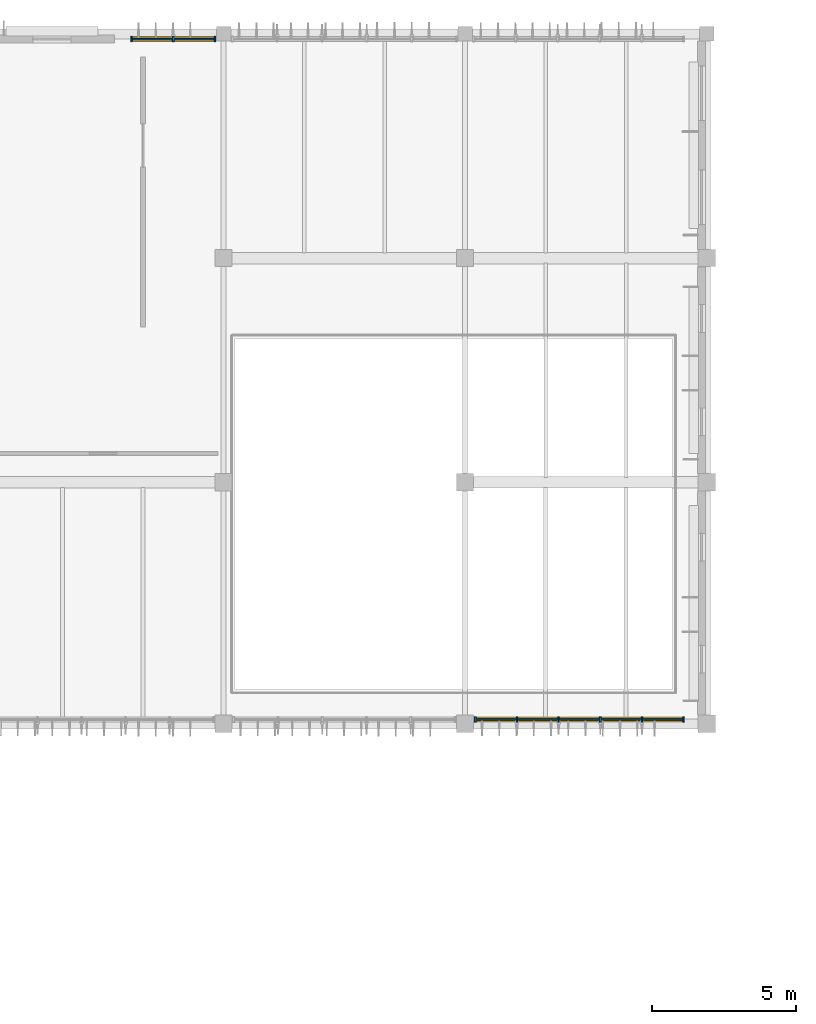
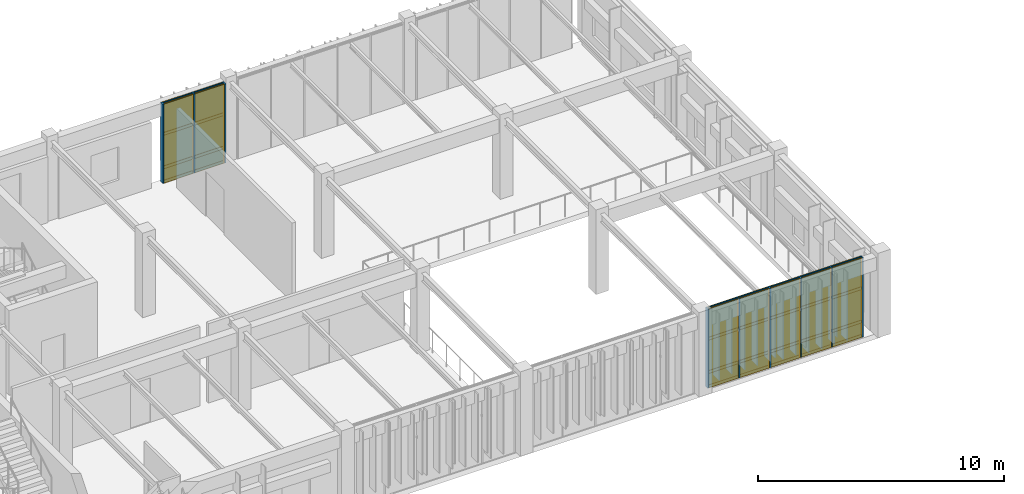
# One storey, part 103 of 122: 37 members, 21 plates, 2 curtain walls.
"""IFC4 building model written with IfcOpenShell, lengths in metres."""

from ifc_helpers import new_model, si_unit, direction, frame, frame_2d, origin, origin_2d, place, context, subcontext, project, spatial, rectangle, extrude, material, layer, layer_set, material_profile, profile_set, type_object, element, aggregate, save


model = new_model("IFC4")

# Units and contexts
model_context = context("Model", 3, precision=1e-05, world=origin(), true_north=direction((0.0, 1.0)))
body_context = subcontext(model_context, "Body", "Model", "MODEL_VIEW")
ifc_project = project(units=[si_unit("LENGTHUNIT", "METRE"), si_unit("AREAUNIT", "SQUARE_METRE"), si_unit("VOLUMEUNIT", "CUBIC_METRE"), si_unit("PLANEANGLEUNIT", "RADIAN"), si_unit("MASSUNIT", "GRAM", prefix="KILO")], contexts=[model_context])

# Member
ifc_material_1 = material(Name="Anodised Bronze Aluminium 6063-T6", Category="aluminium")
ifc_material_profile_1 = material_profile(ifc_material_1, rectangle(XDim=0.06005859375, YDim=0.179931640625, at=origin_2d()), Name="ALU MULLION 60x180")
ifc_profile_set_1 = profile_set([ifc_material_profile_1], Name="Anodised Bronze Aluminium 6063-T6")
member_type_1 = type_object("IfcMemberType", Name="Curtain-Wall Primary Mullion 60x180", PredefinedType="MULLION", material=ifc_profile_set_1)
site_placement = place(None, origin())
building_placement = place(site_placement, origin())
storey_placement = place(building_placement, frame((0.0, 0.0, 4.800048828125)))
member_1_placement = place(storey_placement, frame((130.60009765625, 111.6201171875, 0.0), z_axis=(0.0, 0.0, 1.0), x_axis=(1.0, 0.0, 0.0)))
member_1 = element("IfcMember", 1, at=member_1_placement, type_object=member_type_1, Name="Mullion CWM-01 CW-V3-N3-L01-B1-M01", PredefinedType="MULLION", context=body_context, shape_type="SweptSolid", body=[
    extrude(rectangle(XDim=0.06005859375, YDim=0.179931640625, at=origin_2d()), origin(), (0.0, 0.0, 1.0), 3.93994140625),
])

member_2_placement = place(storey_placement, frame((132.050048828125, 111.6201171875, 0.0), z_axis=(0.0, 0.0, 1.0), x_axis=(1.0, 0.0, 0.0)))
member_2 = element("IfcMember", 2, at=member_2_placement, type_object=member_type_1, Name="Mullion CWM-01 CW-V3-N3-L01-B1-M02", PredefinedType="MULLION", context=body_context, shape_type="SweptSolid", body=[
    extrude(rectangle(XDim=0.06005859375, YDim=0.179931640625, at=origin_2d()), origin(), (0.0, 0.0, 1.0), 3.93994140625),
])

member_3_placement = place(storey_placement, frame((133.5, 111.6201171875, 0.0), z_axis=(0.0, 0.0, 1.0), x_axis=(1.0, 0.0, 0.0)))
member_3 = element("IfcMember", 3, at=member_3_placement, type_object=member_type_1, Name="Mullion CWM-01 CW-V3-N3-L01-B1-M03", PredefinedType="MULLION", context=body_context, shape_type="SweptSolid", body=[
    extrude(rectangle(XDim=0.06005859375, YDim=0.179931640625, at=origin_2d()), origin(), (0.0, 0.0, 1.0), 3.93994140625),
])

member_4_placement = place(storey_placement, frame((142.550048828125, 87.949951171875, 0.0), z_axis=(0.0, 0.0, 1.0), x_axis=(1.0, 0.0, 0.0)))
member_4 = element("IfcMember", 4, at=member_4_placement, type_object=member_type_1, Name="Mullion CWM-01 CW-V3-S2-L01-B3-M01", PredefinedType="MULLION", context=body_context, shape_type="SweptSolid", body=[
    extrude(rectangle(XDim=0.06005859375, YDim=0.179931640625, at=origin_2d()), origin(), (0.0, 0.0, 1.0), 3.93994140625),
])

member_5_placement = place(storey_placement, frame((144.0, 87.949951171875, 0.0), z_axis=(0.0, 0.0, 1.0), x_axis=(1.0, 0.0, 0.0)))
member_5 = element("IfcMember", 5, at=member_5_placement, type_object=member_type_1, Name="Mullion CWM-01 CW-V3-S2-L01-B3-M02", PredefinedType="MULLION", context=body_context, shape_type="SweptSolid", body=[
    extrude(rectangle(XDim=0.06005859375, YDim=0.179931640625, at=origin_2d()), origin(), (0.0, 0.0, 1.0), 3.93994140625),
])

member_6_placement = place(storey_placement, frame((145.449951171875, 87.949951171875, 0.0), z_axis=(0.0, 0.0, 1.0), x_axis=(1.0, 0.0, 0.0)))
member_6 = element("IfcMember", 6, at=member_6_placement, type_object=member_type_1, Name="Mullion CWM-01 CW-V3-S2-L01-B3-M03", PredefinedType="MULLION", context=body_context, shape_type="SweptSolid", body=[
    extrude(rectangle(XDim=0.06005859375, YDim=0.179931640625, at=origin_2d()), origin(), (0.0, 0.0, 1.0), 3.93994140625),
])

member_7_placement = place(storey_placement, frame((146.89990234375, 87.949951171875, 0.0), z_axis=(0.0, 0.0, 1.0), x_axis=(1.0, 0.0, 0.0)))
member_7 = element("IfcMember", 7, at=member_7_placement, type_object=member_type_1, Name="Mullion CWM-01 CW-V3-S2-L01-B3-M04", PredefinedType="MULLION", context=body_context, shape_type="SweptSolid", body=[
    extrude(rectangle(XDim=0.06005859375, YDim=0.179931640625, at=origin_2d()), origin(), (0.0, 0.0, 1.0), 3.93994140625),
])

member_8_placement = place(storey_placement, frame((148.35009765625, 87.949951171875, 0.0), z_axis=(0.0, 0.0, 1.0), x_axis=(1.0, 0.0, 0.0)))
member_8 = element("IfcMember", 8, at=member_8_placement, type_object=member_type_1, Name="Mullion CWM-01 CW-V3-S2-L01-B3-M05", PredefinedType="MULLION", context=body_context, shape_type="SweptSolid", body=[
    extrude(rectangle(XDim=0.06005859375, YDim=0.179931640625, at=origin_2d()), origin(), (0.0, 0.0, 1.0), 3.93994140625),
])

member_9_placement = place(storey_placement, frame((149.800048828125, 87.949951171875, 0.0), z_axis=(0.0, 0.0, 1.0), x_axis=(1.0, 0.0, 0.0)))
member_9 = element("IfcMember", 9, at=member_9_placement, type_object=member_type_1, Name="Mullion CWM-01 CW-V3-S2-L01-B3-M06", PredefinedType="MULLION", context=body_context, shape_type="SweptSolid", body=[
    extrude(rectangle(XDim=0.06005859375, YDim=0.179931640625, at=origin_2d()), origin(), (0.0, 0.0, 1.0), 3.93994140625),
])

ifc_material_profile_2 = material_profile(ifc_material_1, rectangle(XDim=0.06005859375, YDim=0.139892578125, at=origin_2d()), Name="ALU TRANSOM 60x140")
ifc_profile_set_2 = profile_set([ifc_material_profile_2], Name="Anodised Bronze Aluminium 6063-T6")
member_type_2 = type_object("IfcMemberType", Name="Curtain-Wall Transom 60x140", PredefinedType="USERDEFINED", material=ifc_profile_set_2)
member_10_placement = place(storey_placement, frame((130.635009765625, 111.6201171875, 0.0400390625), z_axis=(1.0, 0.0, 0.0), x_axis=(0.0, 1.0, 0.0)))
member_10 = element("IfcMember", 10, at=member_10_placement, type_object=member_type_2, Name="Transom CWT-01 CW-V3-N3-L01-B1-T01.1", ObjectType="TRANSOM", PredefinedType="USERDEFINED", context=body_context, shape_type="SweptSolid", body=[
    extrude(rectangle(XDim=0.06005859375, YDim=0.139892578125, at=origin_2d()), origin(), (0.0, 0.0, 1.0), 1.3798828125),
])

member_11_placement = place(storey_placement, frame((130.635009765625, 111.6201171875, 0.75), z_axis=(1.0, 0.0, 0.0), x_axis=(0.0, 1.0, 0.0)))
member_11 = element("IfcMember", 11, at=member_11_placement, type_object=member_type_2, Name="Transom CWT-01 CW-V3-N3-L01-B1-T01.2", ObjectType="TRANSOM", PredefinedType="USERDEFINED", context=body_context, shape_type="SweptSolid", body=[
    extrude(rectangle(XDim=0.06005859375, YDim=0.139892578125, at=origin_2d()), origin(), (0.0, 0.0, 1.0), 1.3798828125),
])

member_12_placement = place(storey_placement, frame((130.635009765625, 111.6201171875, 2.40869140625), z_axis=(1.0, 0.0, 0.0), x_axis=(0.0, 1.0, 0.0)))
member_12 = element("IfcMember", 12, at=member_12_placement, type_object=member_type_2, Name="Transom CWT-01 CW-V3-N3-L01-B1-T01.3", ObjectType="TRANSOM", PredefinedType="USERDEFINED", context=body_context, shape_type="SweptSolid", body=[
    extrude(rectangle(XDim=0.06005859375, YDim=0.139892578125, at=origin_2d()), origin(), (0.0, 0.0, 1.0), 1.3798828125),
])

member_13_placement = place(storey_placement, frame((130.635009765625, 111.6201171875, 3.89990234375), z_axis=(1.0, 0.0, 0.0), x_axis=(0.0, 1.0, 0.0)))
member_13 = element("IfcMember", 13, at=member_13_placement, type_object=member_type_2, Name="Transom CWT-01 CW-V3-N3-L01-B1-T01.4", ObjectType="TRANSOM", PredefinedType="USERDEFINED", context=body_context, shape_type="SweptSolid", body=[
    extrude(rectangle(XDim=0.06005859375, YDim=0.139892578125, at=origin_2d()), origin(), (0.0, 0.0, 1.0), 1.3798828125),
])

member_14_placement = place(storey_placement, frame((132.0849609375, 111.6201171875, 0.0400390625), z_axis=(1.0, 0.0, 0.0), x_axis=(0.0, 1.0, 0.0)))
member_14 = element("IfcMember", 14, at=member_14_placement, type_object=member_type_2, Name="Transom CWT-01 CW-V3-N3-L01-B1-T02.1", ObjectType="TRANSOM", PredefinedType="USERDEFINED", context=body_context, shape_type="SweptSolid", body=[
    extrude(rectangle(XDim=0.06005859375, YDim=0.139892578125, at=origin_2d()), origin(), (0.0, 0.0, 1.0), 1.380126953125),
])

member_15_placement = place(storey_placement, frame((132.0849609375, 111.6201171875, 0.75), z_axis=(1.0, 0.0, 0.0), x_axis=(0.0, 1.0, 0.0)))
member_15 = element("IfcMember", 15, at=member_15_placement, type_object=member_type_2, Name="Transom CWT-01 CW-V3-N3-L01-B1-T02.2", ObjectType="TRANSOM", PredefinedType="USERDEFINED", context=body_context, shape_type="SweptSolid", body=[
    extrude(rectangle(XDim=0.06005859375, YDim=0.139892578125, at=origin_2d()), origin(), (0.0, 0.0, 1.0), 1.380126953125),
])

member_16_placement = place(storey_placement, frame((132.0849609375, 111.6201171875, 2.40869140625), z_axis=(1.0, 0.0, 0.0), x_axis=(0.0, 1.0, 0.0)))
member_16 = element("IfcMember", 16, at=member_16_placement, type_object=member_type_2, Name="Transom CWT-01 CW-V3-N3-L01-B1-T02.3", ObjectType="TRANSOM", PredefinedType="USERDEFINED", context=body_context, shape_type="SweptSolid", body=[
    extrude(rectangle(XDim=0.06005859375, YDim=0.139892578125, at=origin_2d()), origin(), (0.0, 0.0, 1.0), 1.380126953125),
])

member_17_placement = place(storey_placement, frame((132.0849609375, 111.6201171875, 3.89990234375), z_axis=(1.0, 0.0, 0.0), x_axis=(0.0, 1.0, 0.0)))
member_17 = element("IfcMember", 17, at=member_17_placement, type_object=member_type_2, Name="Transom CWT-01 CW-V3-N3-L01-B1-T02.4", ObjectType="TRANSOM", PredefinedType="USERDEFINED", context=body_context, shape_type="SweptSolid", body=[
    extrude(rectangle(XDim=0.06005859375, YDim=0.139892578125, at=origin_2d()), origin(), (0.0, 0.0, 1.0), 1.380126953125),
])

member_18_placement = place(storey_placement, frame((142.5849609375, 87.949951171875, 0.0400390625), z_axis=(1.0, 0.0, 0.0), x_axis=(0.0, 1.0, 0.0)))
member_18 = element("IfcMember", 18, at=member_18_placement, type_object=member_type_2, Name="Transom CWT-01 CW-V3-S2-L01-B3-T01.1", ObjectType="TRANSOM", PredefinedType="USERDEFINED", context=body_context, shape_type="SweptSolid", body=[
    extrude(rectangle(XDim=0.06005859375, YDim=0.139892578125, at=origin_2d()), origin(), (0.0, 0.0, 1.0), 1.380126953125),
])

member_19_placement = place(storey_placement, frame((142.5849609375, 87.949951171875, 0.75), z_axis=(1.0, 0.0, 0.0), x_axis=(0.0, 1.0, 0.0)))
member_19 = element("IfcMember", 19, at=member_19_placement, type_object=member_type_2, Name="Transom CWT-01 CW-V3-S2-L01-B3-T01.2", ObjectType="TRANSOM", PredefinedType="USERDEFINED", context=body_context, shape_type="SweptSolid", body=[
    extrude(rectangle(XDim=0.06005859375, YDim=0.139892578125, at=origin_2d()), origin(), (0.0, 0.0, 1.0), 1.380126953125),
])

member_20_placement = place(storey_placement, frame((142.5849609375, 87.949951171875, 2.40869140625), z_axis=(1.0, 0.0, 0.0), x_axis=(0.0, 1.0, 0.0)))
member_20 = element("IfcMember", 20, at=member_20_placement, type_object=member_type_2, Name="Transom CWT-01 CW-V3-S2-L01-B3-T01.3", ObjectType="TRANSOM", PredefinedType="USERDEFINED", context=body_context, shape_type="SweptSolid", body=[
    extrude(rectangle(XDim=0.06005859375, YDim=0.139892578125, at=origin_2d()), origin(), (0.0, 0.0, 1.0), 1.380126953125),
])

member_21_placement = place(storey_placement, frame((142.5849609375, 87.949951171875, 3.89990234375), z_axis=(1.0, 0.0, 0.0), x_axis=(0.0, 1.0, 0.0)))
member_21 = element("IfcMember", 21, at=member_21_placement, type_object=member_type_2, Name="Transom CWT-01 CW-V3-S2-L01-B3-T01.4", ObjectType="TRANSOM", PredefinedType="USERDEFINED", context=body_context, shape_type="SweptSolid", body=[
    extrude(rectangle(XDim=0.06005859375, YDim=0.139892578125, at=origin_2d()), origin(), (0.0, 0.0, 1.0), 1.380126953125),
])

member_22_placement = place(storey_placement, frame((144.034912109375, 87.949951171875, 0.0400390625), z_axis=(1.0, 0.0, 0.0), x_axis=(0.0, 1.0, 0.0)))
member_22 = element("IfcMember", 22, at=member_22_placement, type_object=member_type_2, Name="Transom CWT-01 CW-V3-S2-L01-B3-T02.1", ObjectType="TRANSOM", PredefinedType="USERDEFINED", context=body_context, shape_type="SweptSolid", body=[
    extrude(rectangle(XDim=0.06005859375, YDim=0.139892578125, at=origin_2d()), origin(), (0.0, 0.0, 1.0), 1.380126953125),
])

member_23_placement = place(storey_placement, frame((144.034912109375, 87.949951171875, 0.75), z_axis=(1.0, 0.0, 0.0), x_axis=(0.0, 1.0, 0.0)))
member_23 = element("IfcMember", 23, at=member_23_placement, type_object=member_type_2, Name="Transom CWT-01 CW-V3-S2-L01-B3-T02.2", ObjectType="TRANSOM", PredefinedType="USERDEFINED", context=body_context, shape_type="SweptSolid", body=[
    extrude(rectangle(XDim=0.06005859375, YDim=0.139892578125, at=origin_2d()), origin(), (0.0, 0.0, 1.0), 1.380126953125),
])

member_24_placement = place(storey_placement, frame((144.034912109375, 87.949951171875, 2.40869140625), z_axis=(1.0, 0.0, 0.0), x_axis=(0.0, 1.0, 0.0)))
member_24 = element("IfcMember", 24, at=member_24_placement, type_object=member_type_2, Name="Transom CWT-01 CW-V3-S2-L01-B3-T02.3", ObjectType="TRANSOM", PredefinedType="USERDEFINED", context=body_context, shape_type="SweptSolid", body=[
    extrude(rectangle(XDim=0.06005859375, YDim=0.139892578125, at=origin_2d()), origin(), (0.0, 0.0, 1.0), 1.380126953125),
])

member_25_placement = place(storey_placement, frame((144.034912109375, 87.949951171875, 3.89990234375), z_axis=(1.0, 0.0, 0.0), x_axis=(0.0, 1.0, 0.0)))
member_25 = element("IfcMember", 25, at=member_25_placement, type_object=member_type_2, Name="Transom CWT-01 CW-V3-S2-L01-B3-T02.4", ObjectType="TRANSOM", PredefinedType="USERDEFINED", context=body_context, shape_type="SweptSolid", body=[
    extrude(rectangle(XDim=0.06005859375, YDim=0.139892578125, at=origin_2d()), origin(), (0.0, 0.0, 1.0), 1.380126953125),
])

member_26_placement = place(storey_placement, frame((145.485107421875, 87.949951171875, 0.0400390625), z_axis=(1.0, 0.0, 0.0), x_axis=(0.0, 1.0, 0.0)))
member_26 = element("IfcMember", 26, at=member_26_placement, type_object=member_type_2, Name="Transom CWT-01 CW-V3-S2-L01-B3-T03.1", ObjectType="TRANSOM", PredefinedType="USERDEFINED", context=body_context, shape_type="SweptSolid", body=[
    extrude(rectangle(XDim=0.06005859375, YDim=0.139892578125, at=origin_2d()), origin(), (0.0, 0.0, 1.0), 1.3798828125),
])

member_27_placement = place(storey_placement, frame((145.485107421875, 87.949951171875, 0.75), z_axis=(1.0, 0.0, 0.0), x_axis=(0.0, 1.0, 0.0)))
member_27 = element("IfcMember", 27, at=member_27_placement, type_object=member_type_2, Name="Transom CWT-01 CW-V3-S2-L01-B3-T03.2", ObjectType="TRANSOM", PredefinedType="USERDEFINED", context=body_context, shape_type="SweptSolid", body=[
    extrude(rectangle(XDim=0.06005859375, YDim=0.139892578125, at=origin_2d()), origin(), (0.0, 0.0, 1.0), 1.3798828125),
])

member_28_placement = place(storey_placement, frame((145.485107421875, 87.949951171875, 2.40869140625), z_axis=(1.0, 0.0, 0.0), x_axis=(0.0, 1.0, 0.0)))
member_28 = element("IfcMember", 28, at=member_28_placement, type_object=member_type_2, Name="Transom CWT-01 CW-V3-S2-L01-B3-T03.3", ObjectType="TRANSOM", PredefinedType="USERDEFINED", context=body_context, shape_type="SweptSolid", body=[
    extrude(rectangle(XDim=0.06005859375, YDim=0.139892578125, at=origin_2d()), origin(), (0.0, 0.0, 1.0), 1.3798828125),
])

member_29_placement = place(storey_placement, frame((145.485107421875, 87.949951171875, 3.89990234375), z_axis=(1.0, 0.0, 0.0), x_axis=(0.0, 1.0, 0.0)))
member_29 = element("IfcMember", 29, at=member_29_placement, type_object=member_type_2, Name="Transom CWT-01 CW-V3-S2-L01-B3-T03.4", ObjectType="TRANSOM", PredefinedType="USERDEFINED", context=body_context, shape_type="SweptSolid", body=[
    extrude(rectangle(XDim=0.06005859375, YDim=0.139892578125, at=origin_2d()), origin(), (0.0, 0.0, 1.0), 1.3798828125),
])

member_30_placement = place(storey_placement, frame((146.93505859375, 87.949951171875, 0.0400390625), z_axis=(1.0, 0.0, 0.0), x_axis=(0.0, 1.0, 0.0)))
member_30 = element("IfcMember", 30, at=member_30_placement, type_object=member_type_2, Name="Transom CWT-01 CW-V3-S2-L01-B3-T04.1", ObjectType="TRANSOM", PredefinedType="USERDEFINED", context=body_context, shape_type="SweptSolid", body=[
    extrude(rectangle(XDim=0.06005859375, YDim=0.139892578125, at=origin_2d()), origin(), (0.0, 0.0, 1.0), 1.3798828125),
])

member_31_placement = place(storey_placement, frame((146.93505859375, 87.949951171875, 0.75), z_axis=(1.0, 0.0, 0.0), x_axis=(0.0, 1.0, 0.0)))
member_31 = element("IfcMember", 31, at=member_31_placement, type_object=member_type_2, Name="Transom CWT-01 CW-V3-S2-L01-B3-T04.2", ObjectType="TRANSOM", PredefinedType="USERDEFINED", context=body_context, shape_type="SweptSolid", body=[
    extrude(rectangle(XDim=0.06005859375, YDim=0.139892578125, at=origin_2d()), origin(), (0.0, 0.0, 1.0), 1.3798828125),
])

member_32_placement = place(storey_placement, frame((146.93505859375, 87.949951171875, 2.40869140625), z_axis=(1.0, 0.0, 0.0), x_axis=(0.0, 1.0, 0.0)))
member_32 = element("IfcMember", 32, at=member_32_placement, type_object=member_type_2, Name="Transom CWT-01 CW-V3-S2-L01-B3-T04.3", ObjectType="TRANSOM", PredefinedType="USERDEFINED", context=body_context, shape_type="SweptSolid", body=[
    extrude(rectangle(XDim=0.06005859375, YDim=0.139892578125, at=origin_2d()), origin(), (0.0, 0.0, 1.0), 1.3798828125),
])

member_33_placement = place(storey_placement, frame((146.93505859375, 87.949951171875, 3.89990234375), z_axis=(1.0, 0.0, 0.0), x_axis=(0.0, 1.0, 0.0)))
member_33 = element("IfcMember", 33, at=member_33_placement, type_object=member_type_2, Name="Transom CWT-01 CW-V3-S2-L01-B3-T04.4", ObjectType="TRANSOM", PredefinedType="USERDEFINED", context=body_context, shape_type="SweptSolid", body=[
    extrude(rectangle(XDim=0.06005859375, YDim=0.139892578125, at=origin_2d()), origin(), (0.0, 0.0, 1.0), 1.3798828125),
])

member_34_placement = place(storey_placement, frame((148.385009765625, 87.949951171875, 0.0400390625), z_axis=(1.0, 0.0, 0.0), x_axis=(0.0, 1.0, 0.0)))
member_34 = element("IfcMember", 34, at=member_34_placement, type_object=member_type_2, Name="Transom CWT-01 CW-V3-S2-L01-B3-T05.1", ObjectType="TRANSOM", PredefinedType="USERDEFINED", context=body_context, shape_type="SweptSolid", body=[
    extrude(rectangle(XDim=0.06005859375, YDim=0.139892578125, at=origin_2d()), origin(), (0.0, 0.0, 1.0), 1.3798828125),
])

member_35_placement = place(storey_placement, frame((148.385009765625, 87.949951171875, 0.75), z_axis=(1.0, 0.0, 0.0), x_axis=(0.0, 1.0, 0.0)))
member_35 = element("IfcMember", 35, at=member_35_placement, type_object=member_type_2, Name="Transom CWT-01 CW-V3-S2-L01-B3-T05.2", ObjectType="TRANSOM", PredefinedType="USERDEFINED", context=body_context, shape_type="SweptSolid", body=[
    extrude(rectangle(XDim=0.06005859375, YDim=0.139892578125, at=origin_2d()), origin(), (0.0, 0.0, 1.0), 1.3798828125),
])

member_36_placement = place(storey_placement, frame((148.385009765625, 87.949951171875, 2.40869140625), z_axis=(1.0, 0.0, 0.0), x_axis=(0.0, 1.0, 0.0)))
member_36 = element("IfcMember", 36, at=member_36_placement, type_object=member_type_2, Name="Transom CWT-01 CW-V3-S2-L01-B3-T05.3", ObjectType="TRANSOM", PredefinedType="USERDEFINED", context=body_context, shape_type="SweptSolid", body=[
    extrude(rectangle(XDim=0.06005859375, YDim=0.139892578125, at=origin_2d()), origin(), (0.0, 0.0, 1.0), 1.3798828125),
])

member_37_placement = place(storey_placement, frame((148.385009765625, 87.949951171875, 3.89990234375), z_axis=(1.0, 0.0, 0.0), x_axis=(0.0, 1.0, 0.0)))
member_37 = element("IfcMember", 37, at=member_37_placement, type_object=member_type_2, Name="Transom CWT-01 CW-V3-S2-L01-B3-T05.4", ObjectType="TRANSOM", PredefinedType="USERDEFINED", context=body_context, shape_type="SweptSolid", body=[
    extrude(rectangle(XDim=0.06005859375, YDim=0.139892578125, at=origin_2d()), origin(), (0.0, 0.0, 1.0), 1.3798828125),
])

# Plate
ifc_material_2 = material(Name="Insulated Bronze Aluminium Spandrel Panel", Category="aluminium")
ifc_layer_1 = layer(ifc_material_2, 0.050048828125, Name="Insulated Bronze Aluminium Spandrel Panel")
ifc_layer_set_1 = layer_set([ifc_layer_1], Name="Insulated Bronze Aluminium Spandrel Panel")
plate_type_1 = type_object("IfcPlateType", Name="Insulated Anodised Aluminium Spandrel Cassette 50", PredefinedType="CURTAIN_PANEL", material=ifc_layer_set_1)
plate_1_placement = place(storey_placement, frame((131.324951171875, 111.6201171875, 0.070068359375), z_axis=(0.0, 0.0, 1.0), x_axis=(1.0, 0.0, 0.0)))
plate_1 = element("IfcPlate", 38, at=plate_1_placement, type_object=plate_type_1, Name="Curtain Panel CWP-03 CW-V3-N3-L01-B1-P01.1", PredefinedType="CURTAIN_PANEL", context=body_context, shape_type="SweptSolid", body=[
    extrude(rectangle(XDim=1.3798828125, YDim=0.050048828125, at=origin_2d()), origin(), (0.0, 0.0, 1.0), 0.64990234375),
])

plate_2_placement = place(storey_placement, frame((132.77490234375, 111.6201171875, 0.070068359375), z_axis=(0.0, 0.0, 1.0), x_axis=(1.0, 0.0, 0.0)))
plate_2 = element("IfcPlate", 39, at=plate_2_placement, type_object=plate_type_1, Name="Curtain Panel CWP-03 CW-V3-N3-L01-B1-P02.1", PredefinedType="CURTAIN_PANEL", context=body_context, shape_type="SweptSolid", body=[
    extrude(rectangle(XDim=1.3798828125, YDim=0.050048828125, at=origin_2d()), origin(), (0.0, 0.0, 1.0), 0.64990234375),
])

plate_3_placement = place(storey_placement, frame((143.27490234375, 87.949951171875, 0.070068359375), z_axis=(0.0, 0.0, 1.0), x_axis=(1.0, 0.0, 0.0)))
plate_3 = element("IfcPlate", 40, at=plate_3_placement, type_object=plate_type_1, Name="Curtain Panel CWP-03 CW-V3-S2-L01-B3-P01.1", PredefinedType="CURTAIN_PANEL", context=body_context, shape_type="SweptSolid", body=[
    extrude(rectangle(XDim=1.3798828125, YDim=0.050048828125, at=origin_2d()), origin(), (0.0, 0.0, 1.0), 0.64990234375),
])

plate_4_placement = place(storey_placement, frame((144.72509765625, 87.949951171875, 0.070068359375), z_axis=(0.0, 0.0, 1.0), x_axis=(1.0, 0.0, 0.0)))
plate_4 = element("IfcPlate", 41, at=plate_4_placement, type_object=plate_type_1, Name="Curtain Panel CWP-03 CW-V3-S2-L01-B3-P02.1", PredefinedType="CURTAIN_PANEL", context=body_context, shape_type="SweptSolid", body=[
    extrude(rectangle(XDim=1.3798828125, YDim=0.050048828125, at=origin_2d()), origin(), (0.0, 0.0, 1.0), 0.64990234375),
])

plate_5_placement = place(storey_placement, frame((146.175048828125, 87.949951171875, 0.070068359375), z_axis=(0.0, 0.0, 1.0), x_axis=(1.0, 0.0, 0.0)))
plate_5 = element("IfcPlate", 42, at=plate_5_placement, type_object=plate_type_1, Name="Curtain Panel CWP-03 CW-V3-S2-L01-B3-P03.1", PredefinedType="CURTAIN_PANEL", context=body_context, shape_type="SweptSolid", body=[
    extrude(rectangle(XDim=1.3798828125, YDim=0.050048828125, at=origin_2d()), origin(), (0.0, 0.0, 1.0), 0.64990234375),
])

plate_6_placement = place(storey_placement, frame((147.625, 87.949951171875, 0.070068359375), z_axis=(0.0, 0.0, 1.0), x_axis=(1.0, 0.0, 0.0)))
plate_6 = element("IfcPlate", 43, at=plate_6_placement, type_object=plate_type_1, Name="Curtain Panel CWP-03 CW-V3-S2-L01-B3-P04.1", PredefinedType="CURTAIN_PANEL", context=body_context, shape_type="SweptSolid", body=[
    extrude(rectangle(XDim=1.3798828125, YDim=0.050048828125, at=origin_2d()), origin(), (0.0, 0.0, 1.0), 0.64990234375),
])

plate_7_placement = place(storey_placement, frame((149.074951171875, 87.949951171875, 0.070068359375), z_axis=(0.0, 0.0, 1.0), x_axis=(1.0, 0.0, 0.0)))
plate_7 = element("IfcPlate", 44, at=plate_7_placement, type_object=plate_type_1, Name="Curtain Panel CWP-03 CW-V3-S2-L01-B3-P05.1", PredefinedType="CURTAIN_PANEL", context=body_context, shape_type="SweptSolid", body=[
    extrude(rectangle(XDim=1.3798828125, YDim=0.050048828125, at=origin_2d()), origin(), (0.0, 0.0, 1.0), 0.64990234375),
])

ifc_material_3 = material(Name="Solar-Control Tempered Double Glazing", Category="glass")
ifc_layer_2 = layer(ifc_material_3, 0.0380859375, Name="Solar-Control Tempered Double Glazing")
ifc_layer_set_2 = layer_set([ifc_layer_2], Name="Solar-Control Tempered Double Glazing")
plate_type_2 = type_object("IfcPlateType", Name="Solar-Control Vision Glazing Unit 38", PredefinedType="CURTAIN_PANEL", material=ifc_layer_set_2)
plate_8_placement = place(storey_placement, frame((131.324951171875, 111.6201171875, 0.77978515625), z_axis=(0.0, 0.0, 1.0), x_axis=(1.0, 0.0, 0.0)))
plate_8 = element("IfcPlate", 45, at=plate_8_placement, type_object=plate_type_2, Name="Curtain Panel CWP-02 CW-V3-N3-L01-B1-P01.2", PredefinedType="CURTAIN_PANEL", context=body_context, shape_type="SweptSolid", body=[
    extrude(rectangle(XDim=1.3798828125, YDim=0.0380859375, at=origin_2d()), origin(), (0.0, 0.0, 1.0), 1.598876953125),
])

plate_9_placement = place(storey_placement, frame((131.324951171875, 111.6201171875, 2.438720703125), z_axis=(0.0, 0.0, 1.0), x_axis=(1.0, 0.0, 0.0)))
plate_9 = element("IfcPlate", 46, at=plate_9_placement, type_object=plate_type_2, Name="Curtain Panel CWP-02 CW-V3-N3-L01-B1-P01.3", PredefinedType="CURTAIN_PANEL", context=body_context, shape_type="SweptSolid", body=[
    extrude(rectangle(XDim=1.3798828125, YDim=0.0380859375, at=origin_2d()), origin(), (0.0, 0.0, 1.0), 1.43115234375),
])

plate_10_placement = place(storey_placement, frame((132.77490234375, 111.6201171875, 0.77978515625), z_axis=(0.0, 0.0, 1.0), x_axis=(1.0, 0.0, 0.0)))
plate_10 = element("IfcPlate", 47, at=plate_10_placement, type_object=plate_type_2, Name="Curtain Panel CWP-02 CW-V3-N3-L01-B1-P02.2", PredefinedType="CURTAIN_PANEL", context=body_context, shape_type="SweptSolid", body=[
    extrude(rectangle(XDim=1.3798828125, YDim=0.0380859375, at=origin_2d()), origin(), (0.0, 0.0, 1.0), 1.598876953125),
])

plate_11_placement = place(storey_placement, frame((132.77490234375, 111.6201171875, 2.438720703125), z_axis=(0.0, 0.0, 1.0), x_axis=(1.0, 0.0, 0.0)))
plate_11 = element("IfcPlate", 48, at=plate_11_placement, type_object=plate_type_2, Name="Curtain Panel CWP-02 CW-V3-N3-L01-B1-P02.3", PredefinedType="CURTAIN_PANEL", context=body_context, shape_type="SweptSolid", body=[
    extrude(rectangle(XDim=1.3798828125, YDim=0.0380859375, at=origin_2d()), origin(), (0.0, 0.0, 1.0), 1.43115234375),
])

plate_12_placement = place(storey_placement, frame((143.27490234375, 87.949951171875, 0.77978515625), z_axis=(0.0, 0.0, 1.0), x_axis=(1.0, 0.0, 0.0)))
plate_12 = element("IfcPlate", 49, at=plate_12_placement, type_object=plate_type_2, Name="Curtain Panel CWP-02 CW-V3-S2-L01-B3-P01.2", PredefinedType="CURTAIN_PANEL", context=body_context, shape_type="SweptSolid", body=[
    extrude(rectangle(XDim=1.3798828125, YDim=0.0380859375, at=origin_2d()), origin(), (0.0, 0.0, 1.0), 1.598876953125),
])

plate_13_placement = place(storey_placement, frame((143.27490234375, 87.949951171875, 2.438720703125), z_axis=(0.0, 0.0, 1.0), x_axis=(1.0, 0.0, 0.0)))
plate_13 = element("IfcPlate", 50, at=plate_13_placement, type_object=plate_type_2, Name="Curtain Panel CWP-02 CW-V3-S2-L01-B3-P01.3", PredefinedType="CURTAIN_PANEL", context=body_context, shape_type="SweptSolid", body=[
    extrude(rectangle(XDim=1.3798828125, YDim=0.0380859375, at=origin_2d()), origin(), (0.0, 0.0, 1.0), 1.43115234375),
])

plate_14_placement = place(storey_placement, frame((144.72509765625, 87.949951171875, 0.77978515625), z_axis=(0.0, 0.0, 1.0), x_axis=(1.0, 0.0, 0.0)))
plate_14 = element("IfcPlate", 51, at=plate_14_placement, type_object=plate_type_2, Name="Curtain Panel CWP-02 CW-V3-S2-L01-B3-P02.2", PredefinedType="CURTAIN_PANEL", context=body_context, shape_type="SweptSolid", body=[
    extrude(rectangle(XDim=1.3798828125, YDim=0.0380859375, at=origin_2d()), origin(), (0.0, 0.0, 1.0), 1.598876953125),
])

plate_15_placement = place(storey_placement, frame((144.72509765625, 87.949951171875, 2.438720703125), z_axis=(0.0, 0.0, 1.0), x_axis=(1.0, 0.0, 0.0)))
plate_15 = element("IfcPlate", 52, at=plate_15_placement, type_object=plate_type_2, Name="Curtain Panel CWP-02 CW-V3-S2-L01-B3-P02.3", PredefinedType="CURTAIN_PANEL", context=body_context, shape_type="SweptSolid", body=[
    extrude(rectangle(XDim=1.3798828125, YDim=0.0380859375, at=origin_2d()), origin(), (0.0, 0.0, 1.0), 1.43115234375),
])

plate_16_placement = place(storey_placement, frame((146.175048828125, 87.949951171875, 0.77978515625), z_axis=(0.0, 0.0, 1.0), x_axis=(1.0, 0.0, 0.0)))
plate_16 = element("IfcPlate", 53, at=plate_16_placement, type_object=plate_type_2, Name="Curtain Panel CWP-02 CW-V3-S2-L01-B3-P03.2", PredefinedType="CURTAIN_PANEL", context=body_context, shape_type="SweptSolid", body=[
    extrude(rectangle(XDim=1.3798828125, YDim=0.0380859375, at=origin_2d()), origin(), (0.0, 0.0, 1.0), 1.598876953125),
])

plate_17_placement = place(storey_placement, frame((146.175048828125, 87.949951171875, 2.438720703125), z_axis=(0.0, 0.0, 1.0), x_axis=(1.0, 0.0, 0.0)))
plate_17 = element("IfcPlate", 54, at=plate_17_placement, type_object=plate_type_2, Name="Curtain Panel CWP-02 CW-V3-S2-L01-B3-P03.3", PredefinedType="CURTAIN_PANEL", context=body_context, shape_type="SweptSolid", body=[
    extrude(rectangle(XDim=1.3798828125, YDim=0.0380859375, at=origin_2d()), origin(), (0.0, 0.0, 1.0), 1.43115234375),
])

plate_18_placement = place(storey_placement, frame((147.625, 87.949951171875, 0.77978515625), z_axis=(0.0, 0.0, 1.0), x_axis=(1.0, 0.0, 0.0)))
plate_18 = element("IfcPlate", 55, at=plate_18_placement, type_object=plate_type_2, Name="Curtain Panel CWP-02 CW-V3-S2-L01-B3-P04.2", PredefinedType="CURTAIN_PANEL", context=body_context, shape_type="SweptSolid", body=[
    extrude(rectangle(XDim=1.3798828125, YDim=0.0380859375, at=origin_2d()), origin(), (0.0, 0.0, 1.0), 1.598876953125),
])

plate_19_placement = place(storey_placement, frame((147.625, 87.949951171875, 2.438720703125), z_axis=(0.0, 0.0, 1.0), x_axis=(1.0, 0.0, 0.0)))
plate_19 = element("IfcPlate", 56, at=plate_19_placement, type_object=plate_type_2, Name="Curtain Panel CWP-02 CW-V3-S2-L01-B3-P04.3", PredefinedType="CURTAIN_PANEL", context=body_context, shape_type="SweptSolid", body=[
    extrude(rectangle(XDim=1.3798828125, YDim=0.0380859375, at=origin_2d()), origin(), (0.0, 0.0, 1.0), 1.43115234375),
])

plate_20_placement = place(storey_placement, frame((149.074951171875, 87.949951171875, 0.77978515625), z_axis=(0.0, 0.0, 1.0), x_axis=(1.0, 0.0, 0.0)))
plate_20 = element("IfcPlate", 57, at=plate_20_placement, type_object=plate_type_2, Name="Curtain Panel CWP-02 CW-V3-S2-L01-B3-P05.2", PredefinedType="CURTAIN_PANEL", context=body_context, shape_type="SweptSolid", body=[
    extrude(rectangle(XDim=1.3798828125, YDim=0.0380859375, at=origin_2d()), origin(), (0.0, 0.0, 1.0), 1.598876953125),
])

plate_21_placement = place(storey_placement, frame((149.074951171875, 87.949951171875, 2.438720703125), z_axis=(0.0, 0.0, 1.0), x_axis=(1.0, 0.0, 0.0)))
plate_21 = element("IfcPlate", 58, at=plate_21_placement, type_object=plate_type_2, Name="Curtain Panel CWP-02 CW-V3-S2-L01-B3-P05.3", PredefinedType="CURTAIN_PANEL", context=body_context, shape_type="SweptSolid", body=[
    extrude(rectangle(XDim=1.3798828125, YDim=0.0380859375, at=origin_2d()), origin(), (0.0, 0.0, 1.0), 1.43115234375),
])

# Site, building, storey
site = spatial("IfcSite", under=ifc_project, at=site_placement, CompositionType="ELEMENT")
building = spatial("IfcBuilding", under=site, at=building_placement, Name="Tazoul Stagehouse", CompositionType="ELEMENT")
storey = spatial("IfcBuildingStorey", under=building, at=storey_placement, Name="L01", CompositionType="ELEMENT", Elevation=4.800048828125)

# Curtain wall
curtain_wall_type = type_object("IfcCurtainWallType", Name="Rehearsal North Daylight Curtain Wall", PredefinedType="NOTDEFINED", material=ifc_material_1)
curtain_wall_1_placement = place(storey_placement, frame((130.60009765625, 111.6201171875, 0.0), z_axis=(0.0, 0.0, 1.0), x_axis=(1.0, 0.0, 0.0)))
curtain_wall_1 = element("IfcCurtainWall", 59, at=curtain_wall_1_placement, inside=storey, type_object=curtain_wall_type, Name="L01 Curtain Wall CW-04 (CW-V3-N3-L01-B1)", PredefinedType="NOTDEFINED", context=body_context, shape_type="SweptSolid", body=[
    extrude(rectangle(XDim=2.89990234375, YDim=0.179931640625, at=frame_2d((1.449951171875, 0.0))), origin(), (0.0, 0.0, 1.0), 3.93994140625),
])

aggregate(curtain_wall_1, [member_1, member_2, member_3, member_10, member_11, member_12, member_13, plate_1, plate_8, plate_9, member_14, member_15, member_16, member_17, plate_2, plate_10, plate_11])

curtain_wall_2_placement = place(storey_placement, frame((142.550048828125, 87.949951171875, 0.0), z_axis=(0.0, 0.0, 1.0), x_axis=(1.0, 0.0, 0.0)))
curtain_wall_2 = element("IfcCurtainWall", 60, at=curtain_wall_2_placement, inside=storey, type_object=curtain_wall_type, Name="L01 Curtain Wall CW-04 (CW-V3-S2-L01-B3)", PredefinedType="NOTDEFINED", context=body_context, shape_type="SweptSolid", body=[
    extrude(rectangle(XDim=7.25, YDim=0.179931640625, at=frame_2d((3.625, 0.0))), origin(), (0.0, 0.0, 1.0), 3.93994140625),
])

aggregate(curtain_wall_2, [member_4, member_5, member_6, member_7, member_8, member_9, member_18, member_19, member_20, member_21, plate_3, plate_12, plate_13, member_22, member_23, member_24, member_25, plate_4, plate_14, plate_15, member_26, member_27, member_28, member_29, plate_5, plate_16, plate_17, member_30, member_31, member_32, member_33, plate_6, plate_18, plate_19, member_34, member_35, member_36, member_37, plate_7, plate_20, plate_21])

save(model, "model.ifc")
